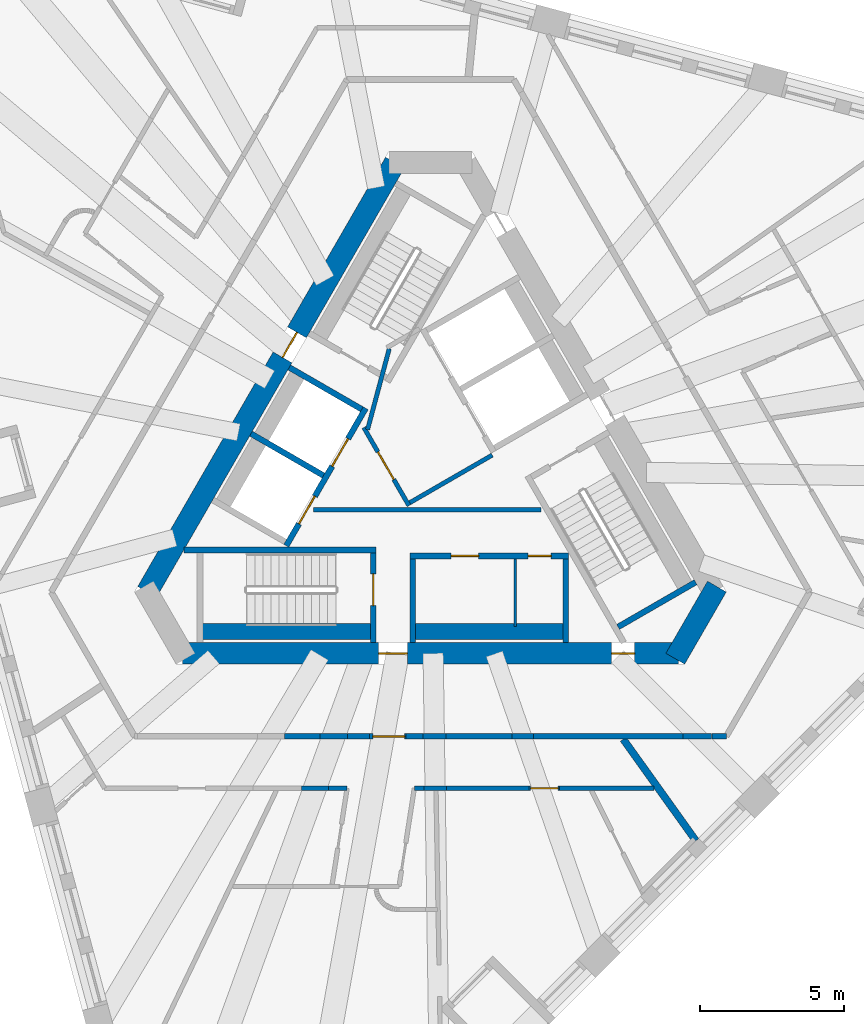
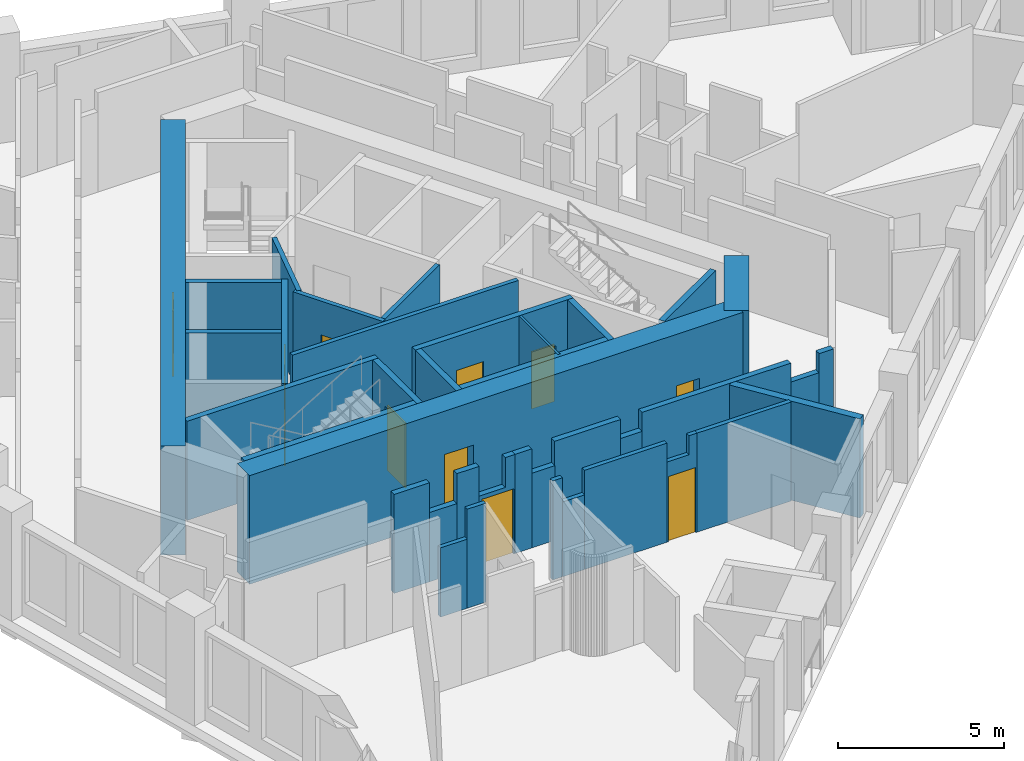
# One storey, part 4 of 13: 38 walls, 11 doors, 11 openings.
"""IFC4 building model written with IfcOpenShell, lengths in metres."""

from ifc_helpers import new_model, si_unit, direction, frame, frame_2d, origin, place, context, subcontext, project, spatial, polyline, rectangle, outline, extrude, material, layer, layer_set, type_object, element, fill, save


model = new_model("IFC4")

# Units and contexts
model_context = context("Model", 3, precision=1e-05, world=origin(), true_north=direction((0.0, 1.0)))
body_context = subcontext(model_context, "Body", "Model", "MODEL_VIEW")
ifc_project = project(units=[si_unit("LENGTHUNIT", "METRE"), si_unit("AREAUNIT", "SQUARE_METRE"), si_unit("VOLUMEUNIT", "CUBIC_METRE"), si_unit("PLANEANGLEUNIT", "RADIAN"), si_unit("MASSUNIT", "GRAM", prefix="KILO")], contexts=[model_context])

# Site, building, storey
site_placement = place(None, origin())
site = spatial("IfcSite", under=ifc_project, at=site_placement, CompositionType="ELEMENT")
building_placement = place(site_placement, origin())
building = spatial("IfcBuilding", under=site, at=building_placement, Name="Tramontana Tower", CompositionType="ELEMENT")
storey_placement = place(building_placement, frame((0.0, 0.0, 212.0)))
storey = spatial("IfcBuildingStorey", under=building, at=storey_placement, Name="L49", CompositionType="ELEMENT", Elevation=212.0)

# Wall, opening, door
ifc_material_1 = material(Name="Concrete 70 MPa", Category="concrete")
ifc_layer_1 = layer(ifc_material_1, 0.75)
ifc_layer_set_1 = layer_set([ifc_layer_1], Name="Core wall 750 70 MPa")
wall_type_1 = type_object("IfcWallType", Name="Core wall 750 70 MPa", PredefinedType="SHEAR", material=ifc_layer_set_1)
wall_1_placement = place(storey_placement, frame((-1.226806640625, 10.625, 0.0), z_axis=(0.0, 0.0, 1.0), x_axis=(-0.500002161919, -0.866024155596, 0.0)))
wall_1 = element("IfcWall", 1, at=wall_1_placement, inside=storey, type_object=wall_type_1, Name="Core wall C1 L49", PredefinedType="SHEAR", context=body_context, shape_type="SweptSolid", body=[
    extrude(rectangle(XDim=17.17626953125, YDim=0.75, at=frame_2d((8.588134765625, 0.0))), origin(), (0.0, 0.0, 1.0), 4.0),
])
opening_1_placement = place(wall_1_placement, frame((6.79296875, 0.0, 0.0)))
opening_1 = element("IfcOpeningElement", 2, at=opening_1_placement, cuts=wall_1, Name="Opening RG1", PredefinedType="OPENING", context=body_context, shape_type="SweptSolid", body=[
    extrude(rectangle(XDim=1.0, YDim=2.39990234375, at=frame_2d((0.5, 1.199951171875))), frame((0.0, 0.385009765625, 0.0), z_axis=(0.0, -1.0, 0.0), x_axis=(1.0, 0.0, 0.0)), (0.0, 0.0, 1.0), 0.77001953125),
])
ifc_material_2 = material(Name="Painted steel", Category="steel")
door_type_1 = type_object("IfcDoorType", Name="RING DOOR 1000", OperationType="SINGLE_SWING_LEFT", PredefinedType="DOOR", material=ifc_material_2)
door_1_placement = place(opening_1_placement, origin())
door_1 = element("IfcDoor", 3, at=door_1_placement, inside=storey, type_object=door_type_1, Name="Door RG1", OperationType="SINGLE_SWING_RIGHT", OverallHeight=2.39990234375, OverallWidth=1.0, PredefinedType="DOOR", context=body_context, shape_type="SweptSolid", body=[
    extrude(rectangle(XDim=1.0, YDim=2.39990234375, at=frame_2d((0.5, 1.199951171875))), frame((0.0, 0.02490234375, 0.0), z_axis=(0.0, -1.0, 0.0), x_axis=(1.0, 0.0, 0.0)), (0.0, 0.0, 1.0), 0.050048828125),
])
fill(opening_1, door_1)

# Wall, openings, doors
wall_2_placement = place(storey_placement, frame((-8.588134765625, -6.375, 0.0), z_axis=(0.0, 0.0, 1.0), x_axis=(1.0, 0.0, 0.0)))
wall_2 = element("IfcWall", 4, at=wall_2_placement, inside=storey, type_object=wall_type_1, Name="Core wall C3 L49", PredefinedType="SHEAR", context=body_context, shape_type="SweptSolid", body=[
    extrude(rectangle(XDim=17.17626953125, YDim=0.75, at=frame_2d((8.588134765625, 0.0))), origin(), (0.0, 0.0, 1.0), 4.0),
])
opening_2_placement = place(wall_2_placement, frame((6.793212890625, 0.0, 0.0)))
opening_2 = element("IfcOpeningElement", 5, at=opening_2_placement, cuts=wall_2, Name="Opening RG2", PredefinedType="OPENING", context=body_context, shape_type="SweptSolid", body=[
    extrude(rectangle(XDim=1.0, YDim=2.39990234375, at=frame_2d((0.5, 1.199951171875))), frame((0.0, 0.385009765625, 0.0), z_axis=(0.0, -1.0, 0.0), x_axis=(1.0, 0.0, 0.0)), (0.0, 0.0, 1.0), 0.77001953125),
])
opening_3_placement = place(wall_2_placement, frame((14.863525390625, 0.0, 0.0)))
opening_3 = element("IfcOpeningElement", 6, at=opening_3_placement, cuts=wall_2, Name="Opening PD2", PredefinedType="OPENING", context=body_context, shape_type="SweptSolid", body=[
    extrude(rectangle(XDim=0.800048828125, YDim=2.10009765625, at=frame_2d((0.39990234375, 1.050048828125))), frame((0.0, 0.385009765625, 0.0), z_axis=(0.0, -1.0, 0.0), x_axis=(1.0, 0.0, 0.0)), (0.0, 0.0, 1.0), 0.77001953125),
])
ifc_material_3 = material(Name="Painted steel", Category="steel")
door_type_2 = type_object("IfcDoorType", Name="CUPBOARD DOOR 800", OperationType="SINGLE_SWING_LEFT", PredefinedType="DOOR", material=ifc_material_3)
door_2_placement = place(opening_3_placement, origin())
door_2 = element("IfcDoor", 7, at=door_2_placement, inside=storey, type_object=door_type_2, Name="Door PD2", OperationType="SINGLE_SWING_LEFT", OverallHeight=2.10009765625, OverallWidth=0.800048828125, PredefinedType="DOOR", context=body_context, shape_type="SweptSolid", body=[
    extrude(rectangle(XDim=0.800048828125, YDim=2.10009765625, at=frame_2d((0.39990234375, 1.050048828125))), frame((0.0, 0.02490234375, 0.0), z_axis=(0.0, -1.0, 0.0), x_axis=(1.0, 0.0, 0.0)), (0.0, 0.0, 1.0), 0.050048828125),
])
fill(opening_3, door_2)
door_3_placement = place(opening_2_placement, origin())
door_3 = element("IfcDoor", 8, at=door_3_placement, inside=storey, type_object=door_type_1, Name="Door RG2", OperationType="SINGLE_SWING_LEFT", OverallHeight=2.39990234375, OverallWidth=1.0, PredefinedType="DOOR", context=body_context, shape_type="SweptSolid", body=[
    extrude(rectangle(XDim=1.0, YDim=2.39990234375, at=frame_2d((0.5, 1.199951171875))), frame((0.0, 0.02490234375, 0.0), z_axis=(0.0, -1.0, 0.0), x_axis=(1.0, 0.0, 0.0)), (0.0, 0.0, 1.0), 0.050048828125),
])
fill(opening_2, door_3)

# Walls
wall_3_placement = place(storey_placement, frame((8.479736328125, -6.5625, 0.0), z_axis=(0.0, 0.0, 1.0), x_axis=(0.499995765644, 0.866027848477, 0.0)))
element("IfcWall", 9, at=wall_3_placement, inside=storey, type_object=wall_type_1, Name="Core wall C4 L49", PredefinedType="SHEAR", context=body_context, shape_type="SweptSolid", body=[
    extrude(rectangle(XDim=2.88671875, YDim=0.75, at=frame_2d((1.443359375, 0.0))), origin(), (0.0, 0.0, 1.0), 4.0),
])
ifc_material_4 = material(Name="Blockwork", Category="masonry")
ifc_layer_2 = layer(ifc_material_4, 0.199951171875)
ifc_layer_set_2 = layer_set([ifc_layer_2], Name="ENTRY WALL 200")
wall_type_2 = type_object("IfcWallType", Name="ENTRY WALL 200", PredefinedType="SOLIDWALL", material=ifc_layer_set_2)
wall_4_placement = place(storey_placement, frame((10.248046875, -9.25, 0.0), z_axis=(0.0, 0.0, 1.0), x_axis=(-1.0, 0.0, 0.0)))
element("IfcWall", 10, at=wall_4_placement, inside=storey, type_object=wall_type_2, Name="Wall v51-ew2-0", PredefinedType="SOLIDWALL", context=body_context, shape_type="SweptSolid", body=[
    extrude(rectangle(XDim=0.503173828125, YDim=0.199951171875, at=frame_2d((0.25146484375, 0.0))), origin(), (0.0, 0.0, 1.0), 3.64990234375),
])
wall_5_placement = place(storey_placement, frame((9.744873046875, -9.25, 0.0), z_axis=(0.0, 0.0, 1.0), x_axis=(-1.0, 0.0, 0.0)))
element("IfcWall", 11, at=wall_5_placement, inside=storey, type_object=wall_type_2, Name="Wall v51-ew2-1", PredefinedType="SOLIDWALL", context=body_context, shape_type="SweptSolid", body=[
    extrude(rectangle(XDim=0.98974609375, YDim=0.199951171875, at=frame_2d((0.494873046875, 0.0))), origin(), (0.0, 0.0, 1.0), 2.949951171875),
])
wall_6_placement = place(storey_placement, frame((8.755126953125, -9.25, 0.0), z_axis=(0.0, 0.0, 1.0), x_axis=(-1.0, 0.0, 0.0)))
element("IfcWall", 12, at=wall_6_placement, inside=storey, type_object=wall_type_2, Name="Wall v51-ew2-2", PredefinedType="SOLIDWALL", context=body_context, shape_type="SweptSolid", body=[
    extrude(rectangle(XDim=5.18212890625, YDim=0.199951171875, at=frame_2d((2.591064453125, 0.0))), origin(), (0.0, 0.0, 1.0), 3.64990234375),
])
wall_7_placement = place(storey_placement, frame((3.572998046875, -9.25, 0.0), z_axis=(0.0, 0.0, 1.0), x_axis=(-1.0, 0.0, 0.0)))
element("IfcWall", 13, at=wall_7_placement, inside=storey, type_object=wall_type_2, Name="Wall v51-ew2-3", PredefinedType="SOLIDWALL", context=body_context, shape_type="SweptSolid", body=[
    extrude(rectangle(XDim=0.74072265625, YDim=0.199951171875, at=frame_2d((0.370361328125, 0.0))), origin(), (0.0, 0.0, 1.0), 2.949951171875),
])
wall_8_placement = place(storey_placement, frame((2.832275390625, -9.25, 0.0), z_axis=(0.0, 0.0, 1.0), x_axis=(-1.0, 0.0, 0.0)))
element("IfcWall", 14, at=wall_8_placement, inside=storey, type_object=wall_type_2, Name="Wall v51-ew2-4", PredefinedType="SOLIDWALL", context=body_context, shape_type="SweptSolid", body=[
    extrude(rectangle(XDim=2.29736328125, YDim=0.199951171875, at=frame_2d((1.148681640625, 0.0))), origin(), (0.0, 0.0, 1.0), 3.64990234375),
])
wall_9_placement = place(storey_placement, frame((0.534912109375, -9.25, 0.0), z_axis=(0.0, 0.0, 1.0), x_axis=(-1.0, 0.0, 0.0)))
element("IfcWall", 15, at=wall_9_placement, inside=storey, type_object=wall_type_2, Name="Wall v51-ew2-5", PredefinedType="SOLIDWALL", context=body_context, shape_type="SweptSolid", body=[
    extrude(rectangle(XDim=0.800048828125, YDim=0.199951171875, at=frame_2d((0.39990234375, 0.0))), origin(), (0.0, 0.0, 1.0), 2.75),
])
wall_10_placement = place(storey_placement, frame((-0.26513671875, -9.25, 0.0), z_axis=(0.0, 0.0, 1.0), x_axis=(-1.0, 0.0, 0.0)))
element("IfcWall", 16, at=wall_10_placement, inside=storey, type_object=wall_type_2, Name="Wall v51-ew2-6", PredefinedType="SOLIDWALL", context=body_context, shape_type="SweptSolid", body=[
    extrude(rectangle(XDim=0.576171875, YDim=0.199951171875, at=frame_2d((0.2880859375, 0.0))), origin(), (0.0, 0.0, 1.0), 3.64990234375),
])

# Wall, opening, door
wall_11_placement = place(storey_placement, frame((-0.84130859375, -9.25, 0.0), z_axis=(0.0, 0.0, 1.0), x_axis=(-1.0, 0.0, 0.0)))
wall_11 = element("IfcWall", 17, at=wall_11_placement, inside=storey, type_object=wall_type_2, Name="Wall v51-ew2-7", PredefinedType="SOLIDWALL", context=body_context, shape_type="SweptSolid", body=[
    extrude(outline(polyline([(0.0, 0.0), (1.261474609375, 0.0), (1.261474609375, 2.550048828125), (0.347412109375, 2.550048828125), (0.347412109375, 3.64990234375), (0.0, 3.64990234375), (0.0, 0.0)])), frame((0.0, 0.10009765625, 0.0), z_axis=(0.0, -1.0, 0.0), x_axis=(1.0, 0.0, 0.0)), (0.0, 0.0, 1.0), 0.199951171875),
])
opening_4_placement = place(wall_11_placement, frame((0.050048828125, 0.0, 0.0)))
opening_4 = element("IfcOpeningElement", 18, at=opening_4_placement, cuts=wall_11, Name="Opening B5B-20", PredefinedType="OPENING", context=body_context, shape_type="SweptSolid", body=[
    extrude(rectangle(XDim=1.10009765625, YDim=2.39990234375, at=frame_2d((0.550048828125, 1.199951171875))), frame((0.0, 0.10986328125, 0.0), z_axis=(0.0, -1.0, 0.0), x_axis=(1.0, 0.0, 0.0)), (0.0, 0.0, 1.0), 0.219970703125),
])
ifc_material_5 = material(Name="Painted timber", Category="wood")
door_type_3 = type_object("IfcDoorType", Name="DOOR ENTRY 1100", OperationType="SINGLE_SWING_LEFT", PredefinedType="DOOR", material=ifc_material_5)
door_4_placement = place(opening_4_placement, origin())
door_4 = element("IfcDoor", 19, at=door_4_placement, inside=storey, type_object=door_type_3, Name="Door B5B-20", OperationType="SINGLE_SWING_RIGHT", OverallHeight=2.39990234375, OverallWidth=1.10009765625, PredefinedType="DOOR", context=body_context, shape_type="SweptSolid", body=[
    extrude(rectangle(XDim=1.10009765625, YDim=2.39990234375, at=frame_2d((0.550048828125, 1.199951171875))), frame((0.0, 0.02490234375, 0.0), z_axis=(0.0, -1.0, 0.0), x_axis=(1.0, 0.0, 0.0)), (0.0, 0.0, 1.0), 0.050048828125),
])
fill(opening_4, door_4)

# Walls
wall_12_placement = place(storey_placement, frame((-2.102783203125, -9.25, 0.0), z_axis=(0.0, 0.0, 1.0), x_axis=(-1.0, 0.0, 0.0)))
element("IfcWall", 20, at=wall_12_placement, inside=storey, type_object=wall_type_2, Name="Wall v51-ew2-8", PredefinedType="SOLIDWALL", context=body_context, shape_type="SweptSolid", body=[
    extrude(rectangle(XDim=0.76904296875, YDim=0.199951171875, at=frame_2d((0.384521484375, 0.0))), origin(), (0.0, 0.0, 1.0), 3.64990234375),
])
wall_13_placement = place(storey_placement, frame((-2.871826171875, -9.25, 0.0), z_axis=(0.0, 0.0, 1.0), x_axis=(-1.0, 0.0, 0.0)))
element("IfcWall", 21, at=wall_13_placement, inside=storey, type_object=wall_type_2, Name="Wall v51-ew2-9", PredefinedType="SOLIDWALL", context=body_context, shape_type="SweptSolid", body=[
    extrude(rectangle(XDim=0.957275390625, YDim=0.199951171875, at=frame_2d((0.478515625, 0.0))), origin(), (0.0, 0.0, 1.0), 2.550048828125),
])
wall_14_placement = place(storey_placement, frame((-3.8291015625, -9.25, 0.0), z_axis=(0.0, 0.0, 1.0), x_axis=(-1.0, 0.0, 0.0)))
element("IfcWall", 22, at=wall_14_placement, inside=storey, type_object=wall_type_2, Name="Wall v51-ew2-10", PredefinedType="SOLIDWALL", context=body_context, shape_type="SweptSolid", body=[
    extrude(rectangle(XDim=1.22705078125, YDim=0.199951171875, at=frame_2d((0.613525390625, 0.0))), origin(), (0.0, 0.0, 1.0), 3.64990234375),
])

# Wall, opening, door
ifc_material_6 = material(Name="Gypsum board partition")
ifc_layer_3 = layer(ifc_material_6, 0.14990234375)
ifc_layer_set_3 = layer_set([ifc_layer_3], Name="PARTITION 150")
wall_type_3 = type_object("IfcWallType", Name="PARTITION 150", PredefinedType="PARTITIONING", material=ifc_layer_set_3)
wall_15_placement = place(storey_placement, frame((-0.744140625, -1.260986328125, 0.0), z_axis=(0.0, 0.0, 1.0), x_axis=(-0.500004234368, 0.866022959057, 0.0)))
wall_15 = element("IfcWall", 23, at=wall_15_placement, inside=storey, type_object=wall_type_3, Name="Wall ff-front", PredefinedType="PARTITIONING", context=body_context, shape_type="SweptSolid", body=[
    extrude(rectangle(XDim=3.125, YDim=0.14990234375, at=frame_2d((1.5625, 0.0))), origin(), (0.0, 0.0, 1.0), 3.64990234375),
])
opening_5_placement = place(wall_15_placement, frame((1.050048828125, 0.0, 0.0)))
opening_5 = element("IfcOpeningElement", 24, at=opening_5_placement, cuts=wall_15, Name="Opening FD1", PredefinedType="OPENING", context=body_context, shape_type="SweptSolid", body=[
    extrude(rectangle(XDim=1.10009765625, YDim=2.39990234375, at=frame_2d((0.550048828125, 1.199951171875))), frame((0.0, 0.0849609375, 0.0), z_axis=(0.0, -1.0, 0.0), x_axis=(1.0, 0.0, 0.0)), (0.0, 0.0, 1.0), 0.169921875),
])
door_5_placement = place(opening_5_placement, origin())
door_5 = element("IfcDoor", 25, at=door_5_placement, inside=storey, type_object=door_type_3, Name="Door FD1", OperationType="SINGLE_SWING_LEFT", OverallHeight=2.39990234375, OverallWidth=1.10009765625, PredefinedType="DOOR", context=body_context, shape_type="SweptSolid", body=[
    extrude(rectangle(XDim=1.10009765625, YDim=2.39990234375, at=frame_2d((0.550048828125, 1.199951171875))), frame((0.0, 0.02490234375, 0.0), z_axis=(0.0, -1.0, 0.0), x_axis=(1.0, 0.0, 0.0)), (0.0, 0.0, 1.0), 0.050048828125),
])
fill(opening_5, door_5)

# Walls
wall_16_placement = place(storey_placement, frame((-0.716796875, -1.15869140625, 0.0), z_axis=(0.0, 0.0, 1.0), x_axis=(0.866008176907, 0.50002983664, 0.0)))
element("IfcWall", 26, at=wall_16_placement, inside=storey, type_object=wall_type_3, Name="Wall ff-end0", PredefinedType="PARTITIONING", context=body_context, shape_type="SweptSolid", body=[
    extrude(rectangle(XDim=3.300048828125, YDim=0.14990234375, at=frame_2d((1.64990234375, 0.0))), origin(), (0.0, 0.0, 1.0), 3.64990234375),
])
wall_17_placement = place(storey_placement, frame((-2.177978515625, 1.372314453125, 0.0), z_axis=(0.0, 0.0, 1.0), x_axis=(0.258808958833, 0.96592852884, 0.0)))
element("IfcWall", 27, at=wall_17_placement, inside=storey, type_object=wall_type_3, Name="Wall ff-diag", PredefinedType="PARTITIONING", context=body_context, shape_type="SweptSolid", body=[
    extrude(rectangle(XDim=2.902587890625, YDim=0.14990234375, at=frame_2d((1.451171875, 0.0))), origin(), (0.0, 0.0, 1.0), 3.64990234375),
])
wall_18_placement = place(storey_placement, frame((-4.053466796875, -1.39990234375, 0.0), z_axis=(0.0, 0.0, 1.0), x_axis=(1.0, 0.0, 0.0)))
element("IfcWall", 28, at=wall_18_placement, inside=storey, type_object=wall_type_3, Name="Wall hub-cut1", PredefinedType="PARTITIONING", context=body_context, shape_type="SweptSolid", body=[
    extrude(rectangle(XDim=7.8759765625, YDim=0.14990234375, at=frame_2d((3.93798828125, 0.0))), origin(), (0.0, 0.0, 1.0), 3.64990234375),
])
wall_19_placement = place(storey_placement, frame((-2.8857421875, -11.050048828125, 0.0), z_axis=(0.0, 0.0, 1.0), x_axis=(-1.0, 0.0, 0.0)))
element("IfcWall", 29, at=wall_19_placement, inside=storey, type_object=wall_type_3, Name="Wall v51-pw32-0", PredefinedType="PARTITIONING", context=body_context, shape_type="SweptSolid", body=[
    extrude(rectangle(XDim=0.6513671875, YDim=0.14990234375, at=frame_2d((0.32568359375, 0.0))), origin(), (0.0, 0.0, 1.0), 3.64990234375),
])
wall_20_placement = place(storey_placement, frame((-3.537109375, -11.050048828125, 0.0), z_axis=(0.0, 0.0, 1.0), x_axis=(-1.0, 0.0, 0.0)))
element("IfcWall", 30, at=wall_20_placement, inside=storey, type_object=wall_type_3, Name="Wall v51-pw32-1", PredefinedType="PARTITIONING", context=body_context, shape_type="SweptSolid", body=[
    extrude(rectangle(XDim=0.9306640625, YDim=0.14990234375, at=frame_2d((0.46533203125, 0.0))), origin(), (0.0, 0.0, 1.0), 2.550048828125),
])
wall_21_placement = place(storey_placement, frame((7.7412109375, -11.050048828125, 0.0), z_axis=(0.0, 0.0, 1.0), x_axis=(-1.0, 0.0, 0.0)))
element("IfcWall", 31, at=wall_21_placement, inside=storey, type_object=wall_type_3, Name="Wall v51-pw57-0", PredefinedType="PARTITIONING", context=body_context, shape_type="SweptSolid", body=[
    extrude(rectangle(XDim=3.27099609375, YDim=0.14990234375, at=frame_2d((1.635498046875, 0.0))), origin(), (0.0, 0.0, 1.0), 3.64990234375),
])

# Wall, opening, door
wall_22_placement = place(storey_placement, frame((4.47021484375, -11.050048828125, 0.0), z_axis=(0.0, 0.0, 1.0), x_axis=(-1.0, 0.0, 0.0)))
wall_22 = element("IfcWall", 32, at=wall_22_placement, inside=storey, type_object=wall_type_3, Name="Wall v51-pw57-1", PredefinedType="PARTITIONING", context=body_context, shape_type="SweptSolid", body=[
    extrude(outline(polyline([(0.0, 0.0), (1.050048828125, 0.0), (1.050048828125, 2.949951171875), (0.287109375, 2.949951171875), (0.287109375, 3.64990234375), (0.0, 3.64990234375), (0.0, 0.0)])), frame((0.0, 0.074951171875, 0.0), z_axis=(0.0, -1.0, 0.0), x_axis=(1.0, 0.0, 0.0)), (0.0, 0.0, 1.0), 0.14990234375),
])
opening_6_placement = place(wall_22_placement, frame((0.050048828125, 0.0, 0.0)))
opening_6 = element("IfcOpeningElement", 33, at=opening_6_placement, cuts=wall_22, Name="Opening B5B-10", PredefinedType="OPENING", context=body_context, shape_type="SweptSolid", body=[
    extrude(rectangle(XDim=0.949951171875, YDim=2.39990234375, at=frame_2d((0.47509765625, 1.199951171875))), frame((0.0, 0.0849609375, 0.0), z_axis=(0.0, -1.0, 0.0), x_axis=(1.0, 0.0, 0.0)), (0.0, 0.0, 1.0), 0.169921875),
])
ifc_material_7 = material(Name="Painted timber", Category="wood")
door_type_4 = type_object("IfcDoorType", Name="DOOR ROOM 950", OperationType="SINGLE_SWING_LEFT", PredefinedType="DOOR", material=ifc_material_7)
door_6_placement = place(opening_6_placement, origin())
door_6 = element("IfcDoor", 34, at=door_6_placement, inside=storey, type_object=door_type_4, Name="Door B5B-10", OperationType="SINGLE_SWING_RIGHT", OverallHeight=2.39990234375, OverallWidth=0.949951171875, PredefinedType="DOOR", context=body_context, shape_type="SweptSolid", body=[
    extrude(rectangle(XDim=0.949951171875, YDim=2.39990234375, at=frame_2d((0.47509765625, 1.199951171875))), frame((0.0, 0.02490234375, 0.0), z_axis=(0.0, -1.0, 0.0), x_axis=(1.0, 0.0, 0.0)), (0.0, 0.0, 1.0), 0.050048828125),
])
fill(opening_6, door_6)

# Walls
wall_23_placement = place(storey_placement, frame((3.420166015625, -11.050048828125, 0.0), z_axis=(0.0, 0.0, 1.0), x_axis=(-1.0, 0.0, 0.0)))
element("IfcWall", 35, at=wall_23_placement, inside=storey, type_object=wall_type_3, Name="Wall v51-pw57-2", PredefinedType="PARTITIONING", context=body_context, shape_type="SweptSolid", body=[
    extrude(rectangle(XDim=2.871337890625, YDim=0.14990234375, at=frame_2d((1.435546875, 0.0))), origin(), (0.0, 0.0, 1.0), 3.64990234375),
])
wall_24_placement = place(storey_placement, frame((0.548828125, -11.050048828125, 0.0), z_axis=(0.0, 0.0, 1.0), x_axis=(-1.0, 0.0, 0.0)))
element("IfcWall", 36, at=wall_24_placement, inside=storey, type_object=wall_type_3, Name="Wall v51-pw57-3", PredefinedType="PARTITIONING", context=body_context, shape_type="SweptSolid", body=[
    extrude(rectangle(XDim=0.775146484375, YDim=0.14990234375, at=frame_2d((0.3876953125, 0.0))), origin(), (0.0, 0.0, 1.0), 2.75),
])
wall_25_placement = place(storey_placement, frame((-0.226318359375, -11.050048828125, 0.0), z_axis=(0.0, 0.0, 1.0), x_axis=(-1.0, 0.0, 0.0)))
element("IfcWall", 37, at=wall_25_placement, inside=storey, type_object=wall_type_3, Name="Wall v51-pw57-4", PredefinedType="PARTITIONING", context=body_context, shape_type="SweptSolid", body=[
    extrude(rectangle(XDim=0.331787109375, YDim=0.14990234375, at=frame_2d((0.166015625, 0.0))), origin(), (0.0, 0.0, 1.0), 3.64990234375),
])
ifc_material_8 = material(Name="Gypsum board partition")
ifc_layer_4 = layer(ifc_material_8, 0.080078125)
ifc_layer_set_4 = layer_set([ifc_layer_4], Name="PARTITION 80")
wall_type_4 = type_object("IfcWallType", Name="PARTITION 80", PredefinedType="PARTITIONING", material=ifc_layer_set_4)
wall_26_placement = place(storey_placement, frame((2.93994140625, -3.10009765625, 0.0), z_axis=(0.0, 0.0, 1.0), x_axis=(0.0, -1.0, 0.0)))
element("IfcWall", 38, at=wall_26_placement, inside=storey, type_object=wall_type_4, Name="Wall row1-split", PredefinedType="PARTITIONING", context=body_context, shape_type="SweptSolid", body=[
    extrude(rectangle(XDim=2.349853515625, YDim=0.080078125, at=frame_2d((1.1748046875, 0.0))), origin(), (0.0, 0.0, 1.0), 3.64990234375),
])
ifc_material_9 = material(Name="Blockwork", Category="masonry")
ifc_layer_5 = layer(ifc_material_9, 0.25)
ifc_layer_set_5 = layer_set([ifc_layer_5], Name="PARTY WALL 250")
wall_type_5 = type_object("IfcWallType", Name="PARTY WALL 250", PredefinedType="SOLIDWALL", material=ifc_layer_set_5)
wall_27_placement = place(storey_placement, frame((6.68017578125, -9.35009765625, 0.0), z_axis=(0.0, 0.0, 1.0), x_axis=(0.581382403907, -0.813630444629, 0.0)))
element("IfcWall", 39, at=wall_27_placement, inside=storey, type_object=wall_type_5, Name="Wall v51-pw55", PredefinedType="SOLIDWALL", context=body_context, shape_type="SweptSolid", body=[
    extrude(rectangle(XDim=4.32373046875, YDim=0.25, at=frame_2d((2.161865234375, 0.0))), origin(), (0.0, 0.0, 1.0), 3.64990234375),
])
ifc_material_10 = material(Name="Concrete 70 MPa", Category="concrete")
ifc_layer_6 = layer(ifc_material_10, 0.550048828125)
ifc_layer_set_6 = layer_set([ifc_layer_6], Name="Concrete 70 MPa, 550 mm")
wall_type_6 = type_object("IfcWallType", Name="RC SHAFT BACK WALL 550", PredefinedType="SOLIDWALL", material=ifc_layer_set_6)
wall_28_placement = place(storey_placement, frame((-8.080078125, -5.625, 0.0), z_axis=(0.0, 0.0, 1.0), x_axis=(1.0, 0.0, 0.0)))
element("IfcWall", 40, at=wall_28_placement, inside=storey, type_object=wall_type_6, Name="Wall st2-back", PredefinedType="SOLIDWALL", context=body_context, shape_type="SweptSolid", body=[
    extrude(rectangle(XDim=6.2001953125, YDim=0.550048828125, at=frame_2d((3.10009765625, 0.0))), origin(), (0.0, 0.0, 1.0), 3.64990234375),
])
wall_29_placement = place(storey_placement, frame((-0.7099609375, -5.625, 0.0), z_axis=(0.0, 0.0, 1.0), x_axis=(1.0, 0.0, 0.0)))
element("IfcWall", 41, at=wall_29_placement, inside=storey, type_object=wall_type_6, Name="Wall row1-back", PredefinedType="SOLIDWALL", context=body_context, shape_type="SweptSolid", body=[
    extrude(rectangle(XDim=5.5, YDim=0.550048828125, at=frame_2d((2.75, 0.0))), origin(), (0.0, 0.0, 1.0), 3.64990234375),
])
ifc_material_11 = material(Name="Concrete 70 MPa", Category="concrete")
ifc_layer_7 = layer(ifc_material_11, 0.199951171875)
ifc_layer_set_7 = layer_set([ifc_layer_7], Name="Concrete 70 MPa, 200 mm")
wall_type_7 = type_object("IfcWallType", Name="RC STAIR AND SHAFT WALL 200", PredefinedType="SOLIDWALL", material=ifc_layer_set_7)
wall_30_placement = place(storey_placement, frame((-8.544677734375, -2.800048828125, 0.0), z_axis=(0.0, 0.0, 1.0), x_axis=(1.0, 0.0, 0.0)))
element("IfcWall", 42, at=wall_30_placement, inside=storey, type_object=wall_type_7, Name="Wall st2-front", PredefinedType="SOLIDWALL", context=body_context, shape_type="SweptSolid", body=[
    extrude(rectangle(XDim=6.664794921875, YDim=0.199951171875, at=frame_2d((3.33251953125, 0.0))), origin(), (0.0, 0.0, 1.0), 3.64990234375),
])

# Wall, opening, door
wall_31_placement = place(storey_placement, frame((-1.97998046875, -2.89990234375, 0.0), z_axis=(0.0, 0.0, 1.0), x_axis=(0.0, -1.0, 0.0)))
wall_31 = element("IfcWall", 43, at=wall_31_placement, inside=storey, type_object=wall_type_7, Name="Wall st2-near", PredefinedType="SOLIDWALL", context=body_context, shape_type="SweptSolid", body=[
    extrude(rectangle(XDim=3.10009765625, YDim=0.199951171875, at=frame_2d((1.550048828125, 0.0))), origin(), (0.0, 0.0, 1.0), 3.64990234375),
])
opening_7_placement = place(wall_31_placement, frame((0.72509765625, 0.0, 0.0)))
opening_7 = element("IfcOpeningElement", 44, at=opening_7_placement, cuts=wall_31, Name="Opening SD2", PredefinedType="OPENING", context=body_context, shape_type="SweptSolid", body=[
    extrude(rectangle(XDim=1.10009765625, YDim=2.39990234375, at=frame_2d((0.550048828125, 1.199951171875))), frame((0.0, 0.10986328125, 0.0), z_axis=(0.0, -1.0, 0.0), x_axis=(1.0, 0.0, 0.0)), (0.0, 0.0, 1.0), 0.219970703125),
])
ifc_material_12 = material(Name="Painted steel", Category="steel")
door_type_5 = type_object("IfcDoorType", Name="STAIR DOOR 1100", OperationType="SINGLE_SWING_LEFT", PredefinedType="DOOR", material=ifc_material_12)
door_7_placement = place(opening_7_placement, origin())
door_7 = element("IfcDoor", 45, at=door_7_placement, inside=storey, type_object=door_type_5, Name="Door SD2", OperationType="SINGLE_SWING_LEFT", OverallHeight=2.39990234375, OverallWidth=1.10009765625, PredefinedType="DOOR", context=body_context, shape_type="SweptSolid", body=[
    extrude(rectangle(XDim=1.10009765625, YDim=2.39990234375, at=frame_2d((0.550048828125, 1.199951171875))), frame((0.0, 0.02490234375, 0.0), z_axis=(0.0, -1.0, 0.0), x_axis=(1.0, 0.0, 0.0)), (0.0, 0.0, 1.0), 0.050048828125),
])
fill(opening_7, door_7)

# Wall
wall_32_placement = place(storey_placement, frame((6.50146484375, -5.4609375, 0.0), z_axis=(0.0, 0.0, 1.0), x_axis=(0.86600983753, 0.500026960575, 0.0)))
element("IfcWall", 46, at=wall_32_placement, inside=storey, type_object=wall_type_7, Name="Wall st3-far", PredefinedType="SOLIDWALL", context=body_context, shape_type="SweptSolid", body=[
    extrude(rectangle(XDim=3.099853515625, YDim=0.199951171875, at=frame_2d((1.5498046875, 0.0))), origin(), (0.0, 0.0, 1.0), 3.64990234375),
])

# Wall, openings, doors
wall_33_placement = place(storey_placement, frame((-2.2431640625, 2.114990234375, 0.0), z_axis=(0.0, 0.0, 1.0), x_axis=(-0.499996545922, -0.866027397988, 0.0)))
wall_33 = element("IfcWall", 47, at=wall_33_placement, inside=storey, type_object=wall_type_7, Name="Wall row0-front", PredefinedType="SOLIDWALL", context=body_context, shape_type="SweptSolid", body=[
    extrude(rectangle(XDim=5.5, YDim=0.199951171875, at=frame_2d((2.75, 0.0))), origin(), (0.0, 0.0, 1.0), 3.64990234375),
])
opening_8_placement = place(wall_33_placement, frame((1.219970703125, 0.0, 0.0)))
opening_8 = element("IfcOpeningElement", 48, at=opening_8_placement, cuts=wall_33, Name="Opening LD-P1", PredefinedType="OPENING", context=body_context, shape_type="SweptSolid", body=[
    extrude(rectangle(XDim=1.10009765625, YDim=2.10009765625, at=frame_2d((0.550048828125, 1.050048828125))), frame((0.0, 0.10986328125, 0.0), z_axis=(0.0, -1.0, 0.0), x_axis=(1.0, 0.0, 0.0)), (0.0, 0.0, 1.0), 0.219970703125),
])
opening_9_placement = place(wall_33_placement, frame((3.52490234375, 0.0, 0.0)))
opening_9 = element("IfcOpeningElement", 49, at=opening_9_placement, cuts=wall_33, Name="Opening LD-P2", PredefinedType="OPENING", context=body_context, shape_type="SweptSolid", body=[
    extrude(rectangle(XDim=1.10009765625, YDim=2.10009765625, at=frame_2d((0.550048828125, 1.050048828125))), frame((0.0, 0.10986328125, 0.0), z_axis=(0.0, -1.0, 0.0), x_axis=(1.0, 0.0, 0.0)), (0.0, 0.0, 1.0), 0.219970703125),
])
ifc_material_13 = material(Name="Brushed steel", Category="steel")
door_type_6 = type_object("IfcDoorType", Name="LANDING DOOR 1100", OperationType="SINGLE_SWING_LEFT", PredefinedType="DOOR", material=ifc_material_13)
door_8_placement = place(opening_8_placement, origin())
door_8 = element("IfcDoor", 50, at=door_8_placement, inside=storey, type_object=door_type_6, Name="Door LD-P1", OperationType="SLIDING_TO_LEFT", OverallHeight=2.10009765625, OverallWidth=1.10009765625, PredefinedType="DOOR", context=body_context, shape_type="SweptSolid", body=[
    extrude(rectangle(XDim=1.10009765625, YDim=2.10009765625, at=frame_2d((0.550048828125, 1.050048828125))), frame((0.0, 0.02490234375, 0.0), z_axis=(0.0, -1.0, 0.0), x_axis=(1.0, 0.0, 0.0)), (0.0, 0.0, 1.0), 0.050048828125),
])
fill(opening_8, door_8)
door_9_placement = place(opening_9_placement, origin())
door_9 = element("IfcDoor", 51, at=door_9_placement, inside=storey, type_object=door_type_6, Name="Door LD-P2", OperationType="SLIDING_TO_RIGHT", OverallHeight=2.10009765625, OverallWidth=1.10009765625, PredefinedType="DOOR", context=body_context, shape_type="SweptSolid", body=[
    extrude(rectangle(XDim=1.10009765625, YDim=2.10009765625, at=frame_2d((0.550048828125, 1.050048828125))), frame((0.0, 0.02490234375, 0.0), z_axis=(0.0, -1.0, 0.0), x_axis=(1.0, 0.0, 0.0)), (0.0, 0.0, 1.0), 0.050048828125),
])
fill(opening_9, door_9)

# Walls
wall_34_placement = place(storey_placement, frame((-2.379638671875, 2.078369140625, 0.0), z_axis=(0.0, 0.0, 1.0), x_axis=(-0.866032775405, 0.499987231761, 0.0)))
element("IfcWall", 52, at=wall_34_placement, inside=storey, type_object=wall_type_7, Name="Wall row0-side0", PredefinedType="SOLIDWALL", context=body_context, shape_type="SweptSolid", body=[
    extrude(rectangle(XDim=2.89990234375, YDim=0.199951171875, at=frame_2d((1.449951171875, 0.0))), origin(), (0.0, 0.0, 1.0), 3.64990234375),
])
wall_35_placement = place(storey_placement, frame((-3.70458984375, -0.216796875, 0.0), z_axis=(0.0, 0.0, 1.0), x_axis=(-0.865996321171, 0.50005036918, 0.0)))
element("IfcWall", 53, at=wall_35_placement, inside=storey, type_object=wall_type_7, Name="Wall row0-side1", PredefinedType="SOLIDWALL", context=body_context, shape_type="SweptSolid", body=[
    extrude(rectangle(XDim=2.900146484375, YDim=0.199951171875, at=frame_2d((1.4501953125, 0.0))), origin(), (0.0, 0.0, 1.0), 3.64990234375),
])

# Wall, openings, doors
wall_36_placement = place(storey_placement, frame((4.7900390625, -3.0, 0.0), z_axis=(0.0, 0.0, 1.0), x_axis=(-1.0, 0.0, 0.0)))
wall_36 = element("IfcWall", 54, at=wall_36_placement, inside=storey, type_object=wall_type_7, Name="Wall row1-front", PredefinedType="SOLIDWALL", context=body_context, shape_type="SweptSolid", body=[
    extrude(rectangle(XDim=5.5, YDim=0.199951171875, at=frame_2d((2.75, 0.0))), origin(), (0.0, 0.0, 1.0), 3.64990234375),
])
opening_10_placement = place(wall_36_placement, frame((3.1201171875, 0.0, 0.0)))
opening_10 = element("IfcOpeningElement", 55, at=opening_10_placement, cuts=wall_36, Name="Opening RD-1A", PredefinedType="OPENING", context=body_context, shape_type="SweptSolid", body=[
    extrude(rectangle(XDim=0.949951171875, YDim=2.39990234375, at=frame_2d((0.47509765625, 1.199951171875))), frame((0.0, 0.10986328125, 0.0), z_axis=(0.0, -1.0, 0.0), x_axis=(1.0, 0.0, 0.0)), (0.0, 0.0, 1.0), 0.219970703125),
])
opening_11_placement = place(wall_36_placement, frame((0.60498046875, 0.0, 0.0)))
opening_11 = element("IfcOpeningElement", 56, at=opening_11_placement, cuts=wall_36, Name="Opening RD-1B", PredefinedType="OPENING", context=body_context, shape_type="SweptSolid", body=[
    extrude(rectangle(XDim=0.800048828125, YDim=2.10009765625, at=frame_2d((0.39990234375, 1.050048828125))), frame((0.0, 0.10986328125, 0.0), z_axis=(0.0, -1.0, 0.0), x_axis=(1.0, 0.0, 0.0)), (0.0, 0.0, 1.0), 0.219970703125),
])
door_10_placement = place(opening_11_placement, origin())
door_10 = element("IfcDoor", 57, at=door_10_placement, inside=storey, type_object=door_type_2, Name="Door RD-1B", OperationType="SINGLE_SWING_RIGHT", OverallHeight=2.10009765625, OverallWidth=0.800048828125, PredefinedType="DOOR", context=body_context, shape_type="SweptSolid", body=[
    extrude(rectangle(XDim=0.800048828125, YDim=2.10009765625, at=frame_2d((0.39990234375, 1.050048828125))), frame((0.0, 0.02490234375, 0.0), z_axis=(0.0, -1.0, 0.0), x_axis=(1.0, 0.0, 0.0)), (0.0, 0.0, 1.0), 0.050048828125),
])
fill(opening_11, door_10)
door_11_placement = place(opening_10_placement, origin())
door_11 = element("IfcDoor", 58, at=door_11_placement, inside=storey, type_object=door_type_4, Name="Door RD-1A", OperationType="SINGLE_SWING_LEFT", OverallHeight=2.39990234375, OverallWidth=0.949951171875, PredefinedType="DOOR", context=body_context, shape_type="SweptSolid", body=[
    extrude(rectangle(XDim=0.949951171875, YDim=2.39990234375, at=frame_2d((0.47509765625, 1.199951171875))), frame((0.0, 0.02490234375, 0.0), z_axis=(0.0, -1.0, 0.0), x_axis=(1.0, 0.0, 0.0)), (0.0, 0.0, 1.0), 0.050048828125),
])
fill(opening_10, door_11)

# Walls
for number, where, z_axis, x_axis, name in (
    (59, (-0.610107421875, -3.10009765625, 0.0), (0.0, 0.0, 1.0), (0.0, -1.0, 0.0), "Wall row1-side0"),
    (60, (4.68994140625, -3.10009765625, 0.0), (0.0, 0.0, 1.0), (0.0, -1.0, 0.0), "Wall row1-side2"),
):
    element("IfcWall", number, at=place(storey_placement, frame(where, z_axis=z_axis, x_axis=x_axis)), inside=storey, type_object=wall_type_7, Name=name, PredefinedType="SOLIDWALL", context=body_context, shape_type="SweptSolid", body=[
        extrude(rectangle(XDim=2.89990234375, YDim=0.199951171875, at=frame_2d((1.449951171875, 0.0))), origin(), (0.0, 0.0, 1.0), 3.64990234375),
    ])

save(model, "model.ifc")
